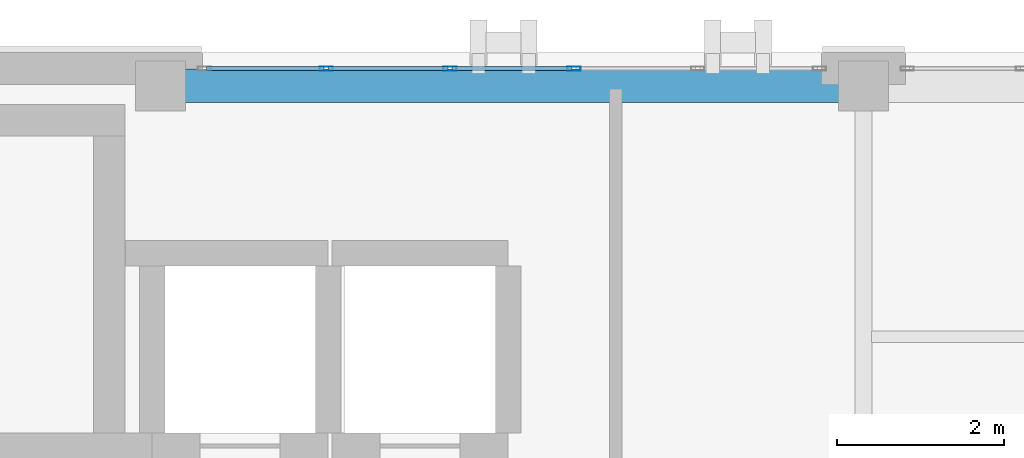
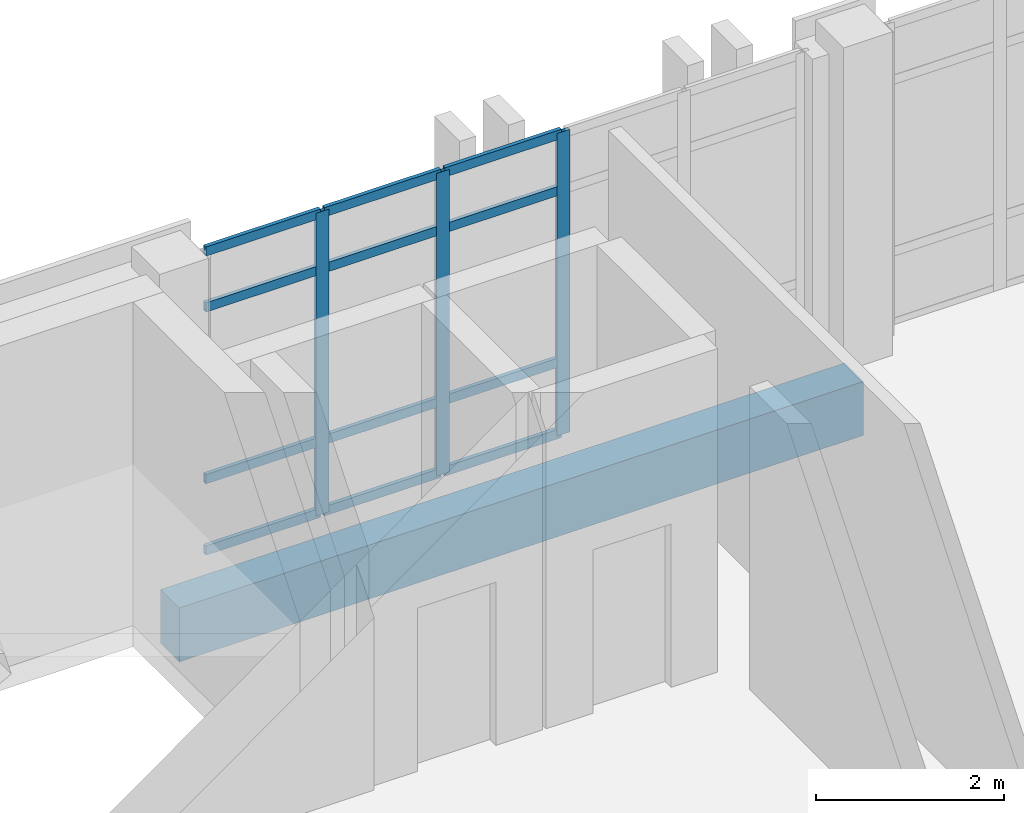
# One storey, part 45 of 90: 15 members, 1 beam, 1 element without a shape of its own.
"""IFC4 building model written with IfcOpenShell, lengths in metres."""

from ifc_helpers import new_model, si_unit, direction, frame, origin, origin_2d, place, context, subcontext, project, spatial, rectangle, hollow_rectangle, extrude, material, layer, layer_set, material_profile, profile_set, type_object, element, aggregate, save


model = new_model("IFC4")

# Units and contexts
model_context = context("Model", 3, precision=1e-05, world=origin(), true_north=direction((0.0, 1.0)))
body_context = subcontext(model_context, "Body", "Model", "MODEL_VIEW")
ifc_project = project(units=[si_unit("LENGTHUNIT", "METRE"), si_unit("AREAUNIT", "SQUARE_METRE"), si_unit("VOLUMEUNIT", "CUBIC_METRE"), si_unit("PLANEANGLEUNIT", "RADIAN"), si_unit("MASSUNIT", "GRAM", prefix="KILO")], contexts=[model_context])

# Site, building, storey
site_placement = place(None, origin())
site = spatial("IfcSite", under=ifc_project, at=site_placement, CompositionType="ELEMENT")
building_placement = place(site_placement, origin())
building = spatial("IfcBuilding", under=site, at=building_placement, Name="Qalavern Law Courts", CompositionType="ELEMENT")
storey_placement = place(building_placement, frame((0.0, 0.0, 22.800048828125)))
storey = spatial("IfcBuildingStorey", under=building, at=storey_placement, Name="L05", CompositionType="ELEMENT", Elevation=22.800048828125)

# Curtain wall, members
ifc_material_1 = material(Name="Anodised aluminium and insulated glazing", Category="aluminium")
ifc_layer = layer(ifc_material_1, 0.166015625)
ifc_layer_set = layer_set([ifc_layer], Name="Anodised aluminium and insulated glazing")
curtain_wall_type = type_object("IfcCurtainWallType", Name="ENV-CW-LIB", PredefinedType="USERDEFINED", material=ifc_layer_set)
curtain_wall_placement = place(storey_placement, origin())
curtain_wall = element("IfcCurtainWall", 1, at=curtain_wall_placement, inside=storey, type_object=curtain_wall_type, Name="V5 unitised curtain wall L05 north 4", ObjectType="UNITISED CURTAIN WALL", PredefinedType="USERDEFINED")
ifc_material_2 = material(Name="Anodised aluminium", Category="aluminium")
ifc_material_profile_1 = material_profile(ifc_material_2, hollow_rectangle(XDim=0.048095703125, YDim=0.159912109375, WallThickness=0.00390625, at=origin_2d()), Name="ALU MULLION 48x160")
ifc_profile_set_1 = profile_set([ifc_material_profile_1], Name="Anodised aluminium")
member_type_1 = type_object("IfcMemberType", Name="ENV-CWM-48x160", PredefinedType="MULLION", material=ifc_profile_set_1)
member_1_placement = place(storey_placement, frame((33.340087890625, 112.8076171875, 0.0), z_axis=(0.0, 0.0, 1.0), x_axis=(0.0, -1.0, 0.0)))
member_1 = element("IfcMember", 2, at=member_1_placement, type_object=member_type_1, Name="CW-05 mullion 3", PredefinedType="MULLION", context=body_context, shape_type="SweptSolid", body=[
    extrude(hollow_rectangle(XDim=0.048095703125, YDim=0.159912109375, WallThickness=0.00390625, at=origin_2d()), origin(), (0.0, 0.0, 1.0), 3.929931640625),
])
member_2_placement = place(storey_placement, frame((31.860107421875, 112.8076171875, 0.0), z_axis=(0.0, 0.0, 1.0), x_axis=(0.0, -1.0, 0.0)))
member_2 = element("IfcMember", 3, at=member_2_placement, type_object=member_type_1, Name="CW-05 mullion 4", PredefinedType="MULLION", context=body_context, shape_type="SweptSolid", body=[
    extrude(hollow_rectangle(XDim=0.048095703125, YDim=0.159912109375, WallThickness=0.00390625, at=origin_2d()), origin(), (0.0, 0.0, 1.0), 3.929931640625),
])
member_3_placement = place(storey_placement, frame((30.3798828125, 112.8076171875, 0.0), z_axis=(0.0, 0.0, 1.0), x_axis=(0.0, -1.0, 0.0)))
member_3 = element("IfcMember", 4, at=member_3_placement, type_object=member_type_1, Name="CW-05 mullion 5", PredefinedType="MULLION", context=body_context, shape_type="SweptSolid", body=[
    extrude(hollow_rectangle(XDim=0.048095703125, YDim=0.159912109375, WallThickness=0.00390625, at=origin_2d()), origin(), (0.0, 0.0, 1.0), 3.929931640625),
])
ifc_material_profile_2 = material_profile(ifc_material_2, hollow_rectangle(XDim=0.048095703125, YDim=0.1201171875, WallThickness=0.00390625, at=origin_2d()), Name="ALU TRANSOM 48x120")
ifc_profile_set_2 = profile_set([ifc_material_profile_2], Name="Anodised aluminium")
member_type_2 = type_object("IfcMemberType", Name="ENV-CWT-48x120", PredefinedType="USERDEFINED", material=ifc_profile_set_2)
member_4_placement = place(storey_placement, frame((33.31591796875, 112.8076171875, 0.02392578125), z_axis=(-1.0, 0.0, 0.0), x_axis=(0.0, -1.0, 0.0)))
member_4 = element("IfcMember", 5, at=member_4_placement, type_object=member_type_2, Name="CW-05 transom 3.1", ObjectType="TRANSOM", PredefinedType="USERDEFINED", context=body_context, shape_type="SweptSolid", body=[
    extrude(hollow_rectangle(XDim=0.048095703125, YDim=0.1201171875, WallThickness=0.00390625, at=origin_2d()), origin(), (0.0, 0.0, 1.0), 1.431884765625),
])
member_5_placement = place(storey_placement, frame((33.31591796875, 112.8076171875, 0.949951171875), z_axis=(-1.0, 0.0, 0.0), x_axis=(0.0, -1.0, 0.0)))
member_5 = element("IfcMember", 6, at=member_5_placement, type_object=member_type_2, Name="CW-05 transom 3.2", ObjectType="TRANSOM", PredefinedType="USERDEFINED", context=body_context, shape_type="SweptSolid", body=[
    extrude(hollow_rectangle(XDim=0.048095703125, YDim=0.1201171875, WallThickness=0.00390625, at=origin_2d()), origin(), (0.0, 0.0, 1.0), 1.431884765625),
])
member_6_placement = place(storey_placement, frame((33.31591796875, 112.8076171875, 3.179931640625), z_axis=(-1.0, 0.0, 0.0), x_axis=(0.0, -1.0, 0.0)))
member_6 = element("IfcMember", 7, at=member_6_placement, type_object=member_type_2, Name="CW-05 transom 3.3", ObjectType="TRANSOM", PredefinedType="USERDEFINED", context=body_context, shape_type="SweptSolid", body=[
    extrude(hollow_rectangle(XDim=0.048095703125, YDim=0.1201171875, WallThickness=0.00390625, at=origin_2d()), origin(), (0.0, 0.0, 1.0), 1.431884765625),
])
member_7_placement = place(storey_placement, frame((33.31591796875, 112.8076171875, 3.906005859375), z_axis=(-1.0, 0.0, 0.0), x_axis=(0.0, -1.0, 0.0)))
member_7 = element("IfcMember", 8, at=member_7_placement, type_object=member_type_2, Name="CW-05 transom 3.4", ObjectType="TRANSOM", PredefinedType="USERDEFINED", context=body_context, shape_type="SweptSolid", body=[
    extrude(hollow_rectangle(XDim=0.048095703125, YDim=0.1201171875, WallThickness=0.00390625, at=origin_2d()), origin(), (0.0, 0.0, 1.0), 1.431884765625),
])
member_8_placement = place(storey_placement, frame((31.8359375, 112.8076171875, 0.02392578125), z_axis=(-1.0, 0.0, 0.0), x_axis=(0.0, -1.0, 0.0)))
member_8 = element("IfcMember", 9, at=member_8_placement, type_object=member_type_2, Name="CW-05 transom 4.1", ObjectType="TRANSOM", PredefinedType="USERDEFINED", context=body_context, shape_type="SweptSolid", body=[
    extrude(hollow_rectangle(XDim=0.048095703125, YDim=0.1201171875, WallThickness=0.00390625, at=origin_2d()), origin(), (0.0, 0.0, 1.0), 1.431884765625),
])
member_9_placement = place(storey_placement, frame((31.8359375, 112.8076171875, 0.949951171875), z_axis=(-1.0, 0.0, 0.0), x_axis=(0.0, -1.0, 0.0)))
member_9 = element("IfcMember", 10, at=member_9_placement, type_object=member_type_2, Name="CW-05 transom 4.2", ObjectType="TRANSOM", PredefinedType="USERDEFINED", context=body_context, shape_type="SweptSolid", body=[
    extrude(hollow_rectangle(XDim=0.048095703125, YDim=0.1201171875, WallThickness=0.00390625, at=origin_2d()), origin(), (0.0, 0.0, 1.0), 1.431884765625),
])
member_10_placement = place(storey_placement, frame((31.8359375, 112.8076171875, 3.179931640625), z_axis=(-1.0, 0.0, 0.0), x_axis=(0.0, -1.0, 0.0)))
member_10 = element("IfcMember", 11, at=member_10_placement, type_object=member_type_2, Name="CW-05 transom 4.3", ObjectType="TRANSOM", PredefinedType="USERDEFINED", context=body_context, shape_type="SweptSolid", body=[
    extrude(hollow_rectangle(XDim=0.048095703125, YDim=0.1201171875, WallThickness=0.00390625, at=origin_2d()), origin(), (0.0, 0.0, 1.0), 1.431884765625),
])
member_11_placement = place(storey_placement, frame((31.8359375, 112.8076171875, 3.906005859375), z_axis=(-1.0, 0.0, 0.0), x_axis=(0.0, -1.0, 0.0)))
member_11 = element("IfcMember", 12, at=member_11_placement, type_object=member_type_2, Name="CW-05 transom 4.4", ObjectType="TRANSOM", PredefinedType="USERDEFINED", context=body_context, shape_type="SweptSolid", body=[
    extrude(hollow_rectangle(XDim=0.048095703125, YDim=0.1201171875, WallThickness=0.00390625, at=origin_2d()), origin(), (0.0, 0.0, 1.0), 1.431884765625),
])
member_12_placement = place(storey_placement, frame((30.35595703125, 112.8076171875, 0.02392578125), z_axis=(-1.0, 0.0, 0.0), x_axis=(0.0, -1.0, 0.0)))
member_12 = element("IfcMember", 13, at=member_12_placement, type_object=member_type_2, Name="CW-05 transom 5.1", ObjectType="TRANSOM", PredefinedType="USERDEFINED", context=body_context, shape_type="SweptSolid", body=[
    extrude(hollow_rectangle(XDim=0.048095703125, YDim=0.1201171875, WallThickness=0.00390625, at=origin_2d()), origin(), (0.0, 0.0, 1.0), 1.407958984375),
])
member_13_placement = place(storey_placement, frame((30.35595703125, 112.8076171875, 0.949951171875), z_axis=(-1.0, 0.0, 0.0), x_axis=(0.0, -1.0, 0.0)))
member_13 = element("IfcMember", 14, at=member_13_placement, type_object=member_type_2, Name="CW-05 transom 5.2", ObjectType="TRANSOM", PredefinedType="USERDEFINED", context=body_context, shape_type="SweptSolid", body=[
    extrude(hollow_rectangle(XDim=0.048095703125, YDim=0.1201171875, WallThickness=0.00390625, at=origin_2d()), origin(), (0.0, 0.0, 1.0), 1.407958984375),
])
member_14_placement = place(storey_placement, frame((30.35595703125, 112.8076171875, 3.179931640625), z_axis=(-1.0, 0.0, 0.0), x_axis=(0.0, -1.0, 0.0)))
member_14 = element("IfcMember", 15, at=member_14_placement, type_object=member_type_2, Name="CW-05 transom 5.3", ObjectType="TRANSOM", PredefinedType="USERDEFINED", context=body_context, shape_type="SweptSolid", body=[
    extrude(hollow_rectangle(XDim=0.048095703125, YDim=0.1201171875, WallThickness=0.00390625, at=origin_2d()), origin(), (0.0, 0.0, 1.0), 1.407958984375),
])
member_15_placement = place(storey_placement, frame((30.35595703125, 112.8076171875, 3.906005859375), z_axis=(-1.0, 0.0, 0.0), x_axis=(0.0, -1.0, 0.0)))
member_15 = element("IfcMember", 16, at=member_15_placement, type_object=member_type_2, Name="CW-05 transom 5.4", ObjectType="TRANSOM", PredefinedType="USERDEFINED", context=body_context, shape_type="SweptSolid", body=[
    extrude(hollow_rectangle(XDim=0.048095703125, YDim=0.1201171875, WallThickness=0.00390625, at=origin_2d()), origin(), (0.0, 0.0, 1.0), 1.407958984375),
])
aggregate(curtain_wall, [member_1, member_2, member_3, member_4, member_5, member_6, member_7, member_8, member_9, member_10, member_11, member_12, member_13, member_14, member_15])

# Beam
ifc_material_3 = material(Name="Concrete C40/50", Category="concrete")
ifc_material_profile_3 = material_profile(ifc_material_3, rectangle(XDim=0.39990234375, YDim=0.699951171875, at=origin_2d()), Name="RC 400x700")
ifc_profile_set_3 = profile_set([ifc_material_profile_3], Name="Concrete C40/50")
beam_type = type_object("IfcBeamType", Name="STR-SP-RC400x700", PredefinedType="SPANDREL", material=ifc_profile_set_3)
beam_placement = place(storey_placement, frame((28.39990234375, 112.60009765625, -0.64599609375), z_axis=(1.0, 0.0, 0.0), x_axis=(0.0, 1.0, 0.0)))
element("IfcBeam", 17, at=beam_placement, inside=storey, type_object=beam_type, Name="V5 X-beam 3-1 L05", PredefinedType="SPANDREL", context=body_context, shape_type="SweptSolid", body=[
    extrude(rectangle(XDim=0.39990234375, YDim=0.699951171875, at=origin_2d()), origin(), (0.0, 0.0, 1.0), 8.400146484375),
])

save(model, "model.ifc")
